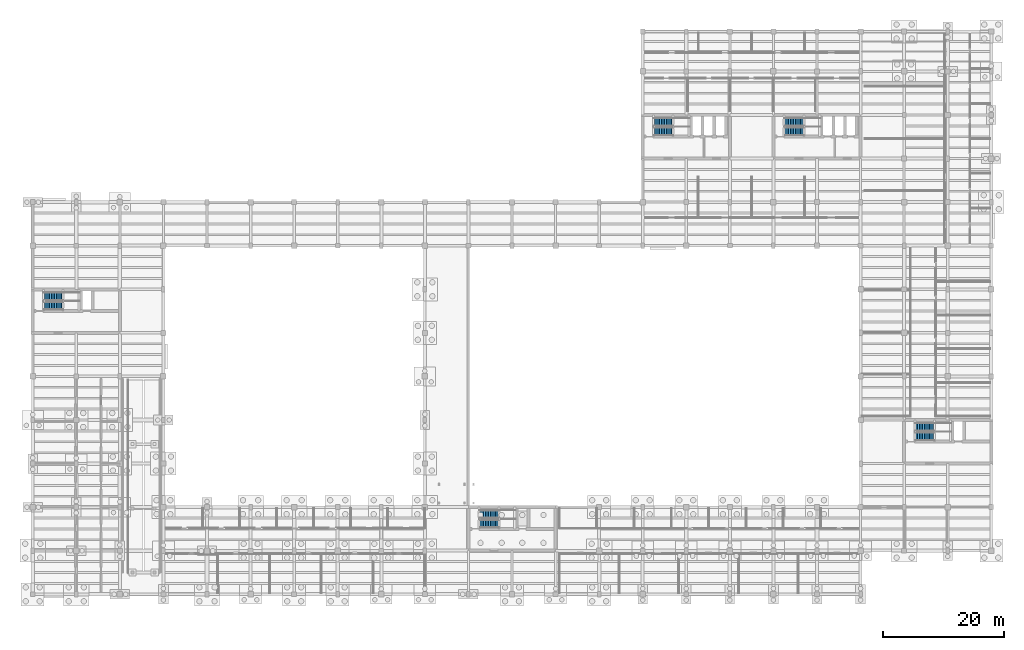
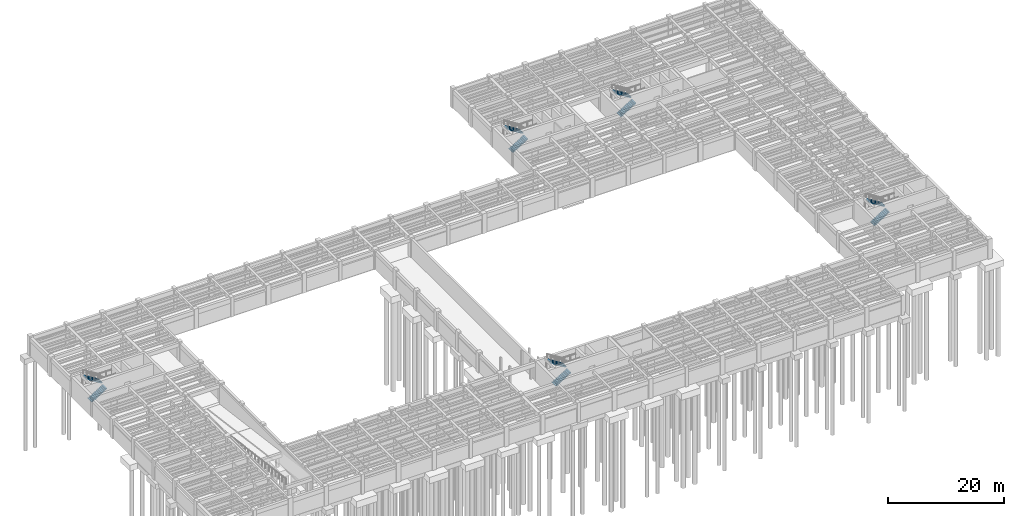
# One storey, part 26 of 33: 10 stair flights, 5 elements without a shape of their own.
"""IFC4 building model written with IfcOpenShell, lengths in metres."""

from ifc_helpers import new_model, si_unit, direction, frame, origin, place, context, subcontext, project, spatial, polyline, outline, extrude, material, type_object, element, aggregate, save


model = new_model("IFC4")

# Units and contexts
model_context = context("Model", 3, precision=1e-05, world=origin(), true_north=direction((0.0, 1.0)))
body_context = subcontext(model_context, "Body", "Model", "MODEL_VIEW")
ifc_project = project(units=[si_unit("LENGTHUNIT", "METRE"), si_unit("AREAUNIT", "SQUARE_METRE"), si_unit("VOLUMEUNIT", "CUBIC_METRE"), si_unit("PLANEANGLEUNIT", "RADIAN"), si_unit("MASSUNIT", "GRAM", prefix="KILO")], contexts=[model_context])

# Site, building, storey
site_placement = place(None, origin())
site = spatial("IfcSite", under=ifc_project, at=site_placement, CompositionType="ELEMENT")
building_placement = place(site_placement, origin())
building = spatial("IfcBuilding", under=site, at=building_placement, Name="Mithqara Police Headquarters", CompositionType="ELEMENT")
storey_placement = place(building_placement, frame((0.0, 0.0, -4.199951171875)))
storey = spatial("IfcBuildingStorey", under=building, at=storey_placement, Name="B1", CompositionType="ELEMENT", Elevation=-4.199951171875)

# Stair, stair flights
ifc_material = material(Name="Concrete C40/50", Category="concrete")
stair_type_1 = type_object("IfcStairType", Name="STAIR ST 01-R24", PredefinedType="HALF_TURN_STAIR", material=ifc_material)
stair_1_placement = place(storey_placement, origin())
stair_1 = element("IfcStair", 1, at=stair_1_placement, inside=storey, type_object=stair_type_1, Name="B1 Core C1 Command West Exit Stair", PredefinedType="HALF_TURN_STAIR")
stair_flight_type_1 = type_object("IfcStairFlightType", Name="STAIR FLIGHT ST 01 F R12", PredefinedType="STRAIGHT", material=ifc_material)
stair_flight_1_placement = place(storey_placement, frame((110.550048828125, 97.47509765625, 0.0), z_axis=(0.0, 0.0, 1.0), x_axis=(1.0, 0.0, 0.0)))
stair_flight_1 = element("IfcStairFlight", 2, at=stair_flight_1_placement, type_object=stair_flight_type_1, Name="ST-01 flight 1", NumberOfRisers=12, NumberOfTreads=11, PredefinedType="STRAIGHT", RiserHeight=0.175, TreadLength=0.28, context=body_context, shape_type="SweptSolid", body=[
    extrude(outline(polyline([(0.0, 0.0), (0.0, 0.175048828125), (0.280029296875, 0.175048828125), (0.280029296875, 0.35009765625), (0.56005859375, 0.35009765625), (0.56005859375, 0.52490234375), (0.840087890625, 0.52490234375), (0.840087890625, 0.699951171875), (1.1201171875, 0.699951171875), (1.1201171875, 0.875), (1.39990234375, 0.875), (1.39990234375, 1.050048828125), (1.679931640625, 1.050048828125), (1.679931640625, 1.22509765625), (1.9599609375, 1.22509765625), (1.9599609375, 1.39990234375), (2.239990234375, 1.39990234375), (2.239990234375, 1.574951171875), (2.52001953125, 1.574951171875), (2.52001953125, 1.75), (2.800048828125, 1.75), (2.800048828125, 1.925048828125), (3.080078125, 1.925048828125), (3.080078125, 2.10009765625), (3.080078125, 1.748291015625), (0.28271484375, 0.0), (0.0, 0.0)])), frame((0.0, 0.675048828125, 0.0), z_axis=(0.0, -1.0, 0.0), x_axis=(1.0, 0.0, 0.0)), (0.0, 0.0, 1.0), 1.35009765625),
])
stair_flight_2_placement = place(storey_placement, frame((113.6298828125, 99.02490234375, 2.099853515625), z_axis=(0.0, 0.0, 1.0), x_axis=(-1.0, 0.0, 0.0)))
stair_flight_2 = element("IfcStairFlight", 3, at=stair_flight_2_placement, type_object=stair_flight_type_1, Name="ST-01 flight 2", NumberOfRisers=12, NumberOfTreads=11, PredefinedType="STRAIGHT", RiserHeight=0.175, TreadLength=0.28, context=body_context, shape_type="SweptSolid", body=[
    extrude(outline(polyline([(0.0, 0.0), (0.0, 0.175048828125), (0.280029296875, 0.175048828125), (0.280029296875, 0.35009765625), (0.56005859375, 0.35009765625), (0.56005859375, 0.52490234375), (0.840087890625, 0.52490234375), (0.840087890625, 0.699951171875), (1.1201171875, 0.699951171875), (1.1201171875, 0.875), (1.39990234375, 0.875), (1.39990234375, 1.050048828125), (1.679931640625, 1.050048828125), (1.679931640625, 1.22509765625), (1.9599609375, 1.22509765625), (1.9599609375, 1.39990234375), (2.239990234375, 1.39990234375), (2.239990234375, 1.574951171875), (2.52001953125, 1.574951171875), (2.52001953125, 1.75), (2.800048828125, 1.75), (2.800048828125, 1.925048828125), (3.080078125, 1.925048828125), (3.080078125, 2.10009765625), (3.080078125, 1.748291015625), (0.28271484375, 0.0), (0.0, 0.0)])), frame((0.0, 0.675048828125, 0.0), z_axis=(0.0, -1.0, 0.0), x_axis=(1.0, 0.0, 0.0)), (0.0, 0.0, 1.0), 1.35009765625),
])
aggregate(stair_1, [stair_flight_1, stair_flight_2])

stair_type_2 = type_object("IfcStairType", Name="STAIR ST 02-R24", PredefinedType="HALF_TURN_STAIR", material=ifc_material)
stair_2_placement = place(storey_placement, origin())
stair_2 = element("IfcStair", 4, at=stair_2_placement, inside=storey, type_object=stair_type_2, Name="B1 Core C2 Command East Exit Stair", PredefinedType="HALF_TURN_STAIR")
stair_flight_type_2 = type_object("IfcStairFlightType", Name="STAIR FLIGHT ST 02 F R12", PredefinedType="STRAIGHT", material=ifc_material)
stair_flight_3_placement = place(storey_placement, frame((132.14990234375, 97.47509765625, 0.0), z_axis=(0.0, 0.0, 1.0), x_axis=(1.0, 0.0, 0.0)))
stair_flight_3 = element("IfcStairFlight", 5, at=stair_flight_3_placement, type_object=stair_flight_type_2, Name="ST-02 flight 1", NumberOfRisers=12, NumberOfTreads=11, PredefinedType="STRAIGHT", RiserHeight=0.175, TreadLength=0.28, context=body_context, shape_type="SweptSolid", body=[
    extrude(outline(polyline([(0.0, 0.0), (0.0, 0.175048828125), (0.280029296875, 0.175048828125), (0.280029296875, 0.35009765625), (0.56005859375, 0.35009765625), (0.56005859375, 0.52490234375), (0.840087890625, 0.52490234375), (0.840087890625, 0.699951171875), (1.1201171875, 0.699951171875), (1.1201171875, 0.875), (1.39990234375, 0.875), (1.39990234375, 1.050048828125), (1.679931640625, 1.050048828125), (1.679931640625, 1.22509765625), (1.9599609375, 1.22509765625), (1.9599609375, 1.39990234375), (2.239990234375, 1.39990234375), (2.239990234375, 1.574951171875), (2.52001953125, 1.574951171875), (2.52001953125, 1.75), (2.800048828125, 1.75), (2.800048828125, 1.925048828125), (3.080078125, 1.925048828125), (3.080078125, 2.10009765625), (3.080078125, 1.748291015625), (0.28271484375, 0.0), (0.0, 0.0)])), frame((0.0, 0.675048828125, 0.0), z_axis=(0.0, -1.0, 0.0), x_axis=(1.0, 0.0, 0.0)), (0.0, 0.0, 1.0), 1.35009765625),
])
stair_flight_4_placement = place(storey_placement, frame((135.22998046875, 99.02490234375, 2.099853515625), z_axis=(0.0, 0.0, 1.0), x_axis=(-1.0, 0.0, 0.0)))
stair_flight_4 = element("IfcStairFlight", 6, at=stair_flight_4_placement, type_object=stair_flight_type_2, Name="ST-02 flight 2", NumberOfRisers=12, NumberOfTreads=11, PredefinedType="STRAIGHT", RiserHeight=0.175, TreadLength=0.28, context=body_context, shape_type="SweptSolid", body=[
    extrude(outline(polyline([(0.0, 0.0), (0.0, 0.175048828125), (0.280029296875, 0.175048828125), (0.280029296875, 0.35009765625), (0.56005859375, 0.35009765625), (0.56005859375, 0.52490234375), (0.840087890625, 0.52490234375), (0.840087890625, 0.699951171875), (1.1201171875, 0.699951171875), (1.1201171875, 0.875), (1.39990234375, 0.875), (1.39990234375, 1.050048828125), (1.679931640625, 1.050048828125), (1.679931640625, 1.22509765625), (1.9599609375, 1.22509765625), (1.9599609375, 1.39990234375), (2.239990234375, 1.39990234375), (2.239990234375, 1.574951171875), (2.52001953125, 1.574951171875), (2.52001953125, 1.75), (2.800048828125, 1.75), (2.800048828125, 1.925048828125), (3.080078125, 1.925048828125), (3.080078125, 2.10009765625), (3.080078125, 1.748291015625), (0.28271484375, 0.0), (0.0, 0.0)])), frame((0.0, 0.675048828125, 0.0), z_axis=(0.0, -1.0, 0.0), x_axis=(1.0, 0.0, 0.0)), (0.0, 0.0, 1.0), 1.35009765625),
])
aggregate(stair_2, [stair_flight_3, stair_flight_4])

stair_type_3 = type_object("IfcStairType", Name="STAIR ST 03-R24", PredefinedType="HALF_TURN_STAIR", material=ifc_material)
stair_3_placement = place(storey_placement, origin())
stair_3 = element("IfcStair", 7, at=stair_3_placement, inside=storey, type_object=stair_type_3, Name="B1 Core C3 Operations West Exit Stair", PredefinedType="HALF_TURN_STAIR")
stair_flight_type_3 = type_object("IfcStairFlightType", Name="STAIR FLIGHT ST 03 F R12", PredefinedType="STRAIGHT", material=ifc_material)
stair_flight_5_placement = place(storey_placement, frame((9.75, 68.675048828125, 0.0), z_axis=(0.0, 0.0, 1.0), x_axis=(1.0, 0.0, 0.0)))
stair_flight_5 = element("IfcStairFlight", 8, at=stair_flight_5_placement, type_object=stair_flight_type_3, Name="ST-03 flight 1", NumberOfRisers=12, NumberOfTreads=11, PredefinedType="STRAIGHT", RiserHeight=0.175, TreadLength=0.28, context=body_context, shape_type="SweptSolid", body=[
    extrude(outline(polyline([(0.0, 0.0), (0.0, 0.175048828125), (0.280029296875, 0.175048828125), (0.280029296875, 0.35009765625), (0.56005859375, 0.35009765625), (0.56005859375, 0.52490234375), (0.840087890625, 0.52490234375), (0.840087890625, 0.699951171875), (1.1201171875, 0.699951171875), (1.1201171875, 0.875), (1.39990234375, 0.875), (1.39990234375, 1.050048828125), (1.679931640625, 1.050048828125), (1.679931640625, 1.22509765625), (1.9599609375, 1.22509765625), (1.9599609375, 1.39990234375), (2.239990234375, 1.39990234375), (2.239990234375, 1.574951171875), (2.52001953125, 1.574951171875), (2.52001953125, 1.75), (2.800048828125, 1.75), (2.800048828125, 1.925048828125), (3.080078125, 1.925048828125), (3.080078125, 2.10009765625), (3.080078125, 1.748291015625), (0.28271484375, 0.0), (0.0, 0.0)])), frame((0.0, 0.675048828125, 0.0), z_axis=(0.0, -1.0, 0.0), x_axis=(1.0, 0.0, 0.0)), (0.0, 0.0, 1.0), 1.35009765625),
])
stair_flight_6_placement = place(storey_placement, frame((12.830078125, 70.22509765625, 2.099853515625), z_axis=(0.0, 0.0, 1.0), x_axis=(-1.0, 0.0, 0.0)))
stair_flight_6 = element("IfcStairFlight", 9, at=stair_flight_6_placement, type_object=stair_flight_type_3, Name="ST-03 flight 2", NumberOfRisers=12, NumberOfTreads=11, PredefinedType="STRAIGHT", RiserHeight=0.175, TreadLength=0.28, context=body_context, shape_type="SweptSolid", body=[
    extrude(outline(polyline([(0.0, 0.0), (0.0, 0.175048828125), (0.280029296875, 0.175048828125), (0.280029296875, 0.35009765625), (0.56005859375, 0.35009765625), (0.56005859375, 0.52490234375), (0.840087890625, 0.52490234375), (0.840087890625, 0.699951171875), (1.1201171875, 0.699951171875), (1.1201171875, 0.875), (1.39990234375, 0.875), (1.39990234375, 1.050048828125), (1.679931640625, 1.050048828125), (1.679931640625, 1.22509765625), (1.9599609375, 1.22509765625), (1.9599609375, 1.39990234375), (2.239990234375, 1.39990234375), (2.239990234375, 1.574951171875), (2.52001953125, 1.574951171875), (2.52001953125, 1.75), (2.800048828125, 1.75), (2.800048828125, 1.925048828125), (3.080078125, 1.925048828125), (3.080078125, 2.10009765625), (3.080078125, 1.748291015625), (0.28271484375, 0.0), (0.0, 0.0)])), frame((0.0, 0.675048828125, 0.0), z_axis=(0.0, -1.0, 0.0), x_axis=(1.0, 0.0, 0.0)), (0.0, 0.0, 1.0), 1.35009765625),
])
aggregate(stair_3, [stair_flight_5, stair_flight_6])

stair_type_4 = type_object("IfcStairType", Name="STAIR ST 04-R24", PredefinedType="HALF_TURN_STAIR", material=ifc_material)
stair_4_placement = place(storey_placement, origin())
stair_4 = element("IfcStair", 10, at=stair_4_placement, inside=storey, type_object=stair_type_4, Name="B1 Core C4 Forensics East Exit Stair", PredefinedType="HALF_TURN_STAIR")
stair_flight_type_4 = type_object("IfcStairFlightType", Name="STAIR FLIGHT ST 04 F R12", PredefinedType="STRAIGHT", material=ifc_material)
stair_flight_7_placement = place(storey_placement, frame((153.75, 47.074951171875, 0.0), z_axis=(0.0, 0.0, 1.0), x_axis=(1.0, 0.0, 0.0)))
stair_flight_7 = element("IfcStairFlight", 11, at=stair_flight_7_placement, type_object=stair_flight_type_4, Name="ST-04 flight 1", NumberOfRisers=12, NumberOfTreads=11, PredefinedType="STRAIGHT", RiserHeight=0.175, TreadLength=0.28, context=body_context, shape_type="SweptSolid", body=[
    extrude(outline(polyline([(0.0, 0.0), (0.0, 0.175048828125), (0.280029296875, 0.175048828125), (0.280029296875, 0.35009765625), (0.56005859375, 0.35009765625), (0.56005859375, 0.52490234375), (0.840087890625, 0.52490234375), (0.840087890625, 0.699951171875), (1.1201171875, 0.699951171875), (1.1201171875, 0.875), (1.39990234375, 0.875), (1.39990234375, 1.050048828125), (1.679931640625, 1.050048828125), (1.679931640625, 1.22509765625), (1.9599609375, 1.22509765625), (1.9599609375, 1.39990234375), (2.239990234375, 1.39990234375), (2.239990234375, 1.574951171875), (2.52001953125, 1.574951171875), (2.52001953125, 1.75), (2.800048828125, 1.75), (2.800048828125, 1.925048828125), (3.080078125, 1.925048828125), (3.080078125, 2.10009765625), (3.080078125, 1.748291015625), (0.28271484375, 0.0), (0.0, 0.0)])), frame((0.0, 0.675048828125, 0.0), z_axis=(0.0, -1.0, 0.0), x_axis=(1.0, 0.0, 0.0)), (0.0, 0.0, 1.0), 1.35009765625),
])
stair_flight_8_placement = place(storey_placement, frame((156.830078125, 48.625, 2.099853515625), z_axis=(0.0, 0.0, 1.0), x_axis=(-1.0, 0.0, 0.0)))
stair_flight_8 = element("IfcStairFlight", 12, at=stair_flight_8_placement, type_object=stair_flight_type_4, Name="ST-04 flight 2", NumberOfRisers=12, NumberOfTreads=11, PredefinedType="STRAIGHT", RiserHeight=0.175, TreadLength=0.28, context=body_context, shape_type="SweptSolid", body=[
    extrude(outline(polyline([(0.0, 0.0), (0.0, 0.175048828125), (0.280029296875, 0.175048828125), (0.280029296875, 0.35009765625), (0.56005859375, 0.35009765625), (0.56005859375, 0.52490234375), (0.840087890625, 0.52490234375), (0.840087890625, 0.699951171875), (1.1201171875, 0.699951171875), (1.1201171875, 0.875), (1.39990234375, 0.875), (1.39990234375, 1.050048828125), (1.679931640625, 1.050048828125), (1.679931640625, 1.22509765625), (1.9599609375, 1.22509765625), (1.9599609375, 1.39990234375), (2.239990234375, 1.39990234375), (2.239990234375, 1.574951171875), (2.52001953125, 1.574951171875), (2.52001953125, 1.75), (2.800048828125, 1.75), (2.800048828125, 1.925048828125), (3.080078125, 1.925048828125), (3.080078125, 2.10009765625), (3.080078125, 1.748291015625), (0.28271484375, 0.0), (0.0, 0.0)])), frame((0.0, 0.675048828125, 0.0), z_axis=(0.0, -1.0, 0.0), x_axis=(1.0, 0.0, 0.0)), (0.0, 0.0, 1.0), 1.35009765625),
])
aggregate(stair_4, [stair_flight_7, stair_flight_8])

stair_type_5 = type_object("IfcStairType", Name="STAIR ST 07-R24", PredefinedType="HALF_TURN_STAIR", material=ifc_material)
stair_5_placement = place(storey_placement, origin())
stair_5 = element("IfcStair", 13, at=stair_5_placement, inside=storey, type_object=stair_type_5, Name="B1 Core C5 Courtyard South Exit Stair", PredefinedType="HALF_TURN_STAIR")
stair_flight_type_5 = type_object("IfcStairFlightType", Name="STAIR FLIGHT ST 07 F R12", PredefinedType="STRAIGHT", material=ifc_material)
stair_flight_9_placement = place(storey_placement, frame((81.75, 32.675048828125, 0.0), z_axis=(0.0, 0.0, 1.0), x_axis=(1.0, 0.0, 0.0)))
stair_flight_9 = element("IfcStairFlight", 14, at=stair_flight_9_placement, type_object=stair_flight_type_5, Name="ST-07 flight 1", NumberOfRisers=12, NumberOfTreads=11, PredefinedType="STRAIGHT", RiserHeight=0.175, TreadLength=0.28, context=body_context, shape_type="SweptSolid", body=[
    extrude(outline(polyline([(0.0, 0.0), (0.0, 0.175048828125), (0.280029296875, 0.175048828125), (0.280029296875, 0.35009765625), (0.56005859375, 0.35009765625), (0.56005859375, 0.52490234375), (0.840087890625, 0.52490234375), (0.840087890625, 0.699951171875), (1.1201171875, 0.699951171875), (1.1201171875, 0.875), (1.39990234375, 0.875), (1.39990234375, 1.050048828125), (1.679931640625, 1.050048828125), (1.679931640625, 1.22509765625), (1.9599609375, 1.22509765625), (1.9599609375, 1.39990234375), (2.239990234375, 1.39990234375), (2.239990234375, 1.574951171875), (2.52001953125, 1.574951171875), (2.52001953125, 1.75), (2.800048828125, 1.75), (2.800048828125, 1.925048828125), (3.080078125, 1.925048828125), (3.080078125, 2.10009765625), (3.080078125, 1.748291015625), (0.28271484375, 0.0), (0.0, 0.0)])), frame((0.0, 0.675048828125, 0.0), z_axis=(0.0, -1.0, 0.0), x_axis=(1.0, 0.0, 0.0)), (0.0, 0.0, 1.0), 1.35009765625),
])
stair_flight_10_placement = place(storey_placement, frame((84.830078125, 34.22509765625, 2.099853515625), z_axis=(0.0, 0.0, 1.0), x_axis=(-1.0, 0.0, 0.0)))
stair_flight_10 = element("IfcStairFlight", 15, at=stair_flight_10_placement, type_object=stair_flight_type_5, Name="ST-07 flight 2", NumberOfRisers=12, NumberOfTreads=11, PredefinedType="STRAIGHT", RiserHeight=0.175, TreadLength=0.28, context=body_context, shape_type="SweptSolid", body=[
    extrude(outline(polyline([(0.0, 0.0), (0.0, 0.175048828125), (0.280029296875, 0.175048828125), (0.280029296875, 0.35009765625), (0.56005859375, 0.35009765625), (0.56005859375, 0.52490234375), (0.840087890625, 0.52490234375), (0.840087890625, 0.699951171875), (1.1201171875, 0.699951171875), (1.1201171875, 0.875), (1.39990234375, 0.875), (1.39990234375, 1.050048828125), (1.679931640625, 1.050048828125), (1.679931640625, 1.22509765625), (1.9599609375, 1.22509765625), (1.9599609375, 1.39990234375), (2.239990234375, 1.39990234375), (2.239990234375, 1.574951171875), (2.52001953125, 1.574951171875), (2.52001953125, 1.75), (2.800048828125, 1.75), (2.800048828125, 1.925048828125), (3.080078125, 1.925048828125), (3.080078125, 2.10009765625), (3.080078125, 1.748291015625), (0.28271484375, 0.0), (0.0, 0.0)])), frame((0.0, 0.675048828125, 0.0), z_axis=(0.0, -1.0, 0.0), x_axis=(1.0, 0.0, 0.0)), (0.0, 0.0, 1.0), 1.35009765625),
])
aggregate(stair_5, [stair_flight_9, stair_flight_10])

save(model, "model.ifc")
